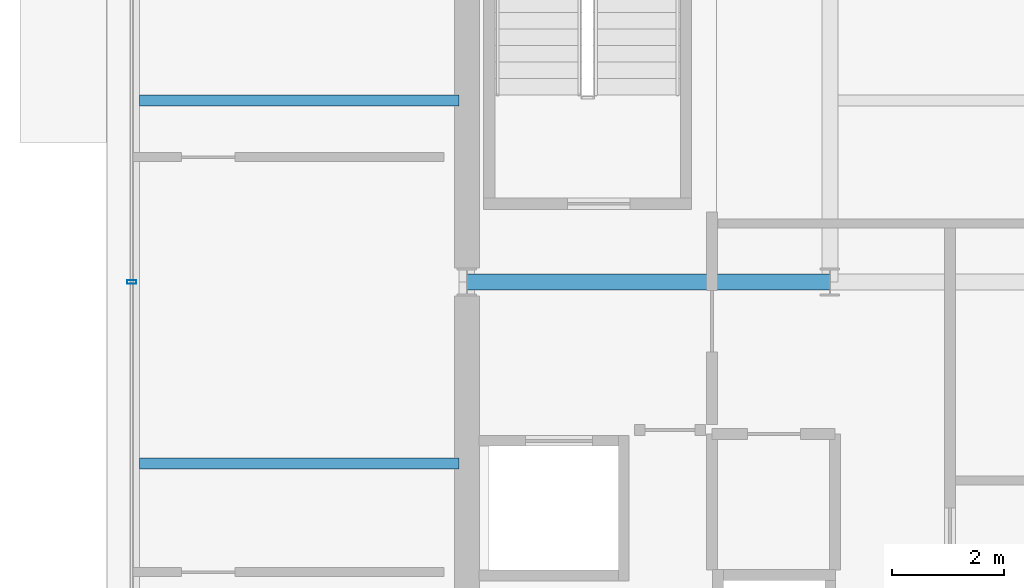
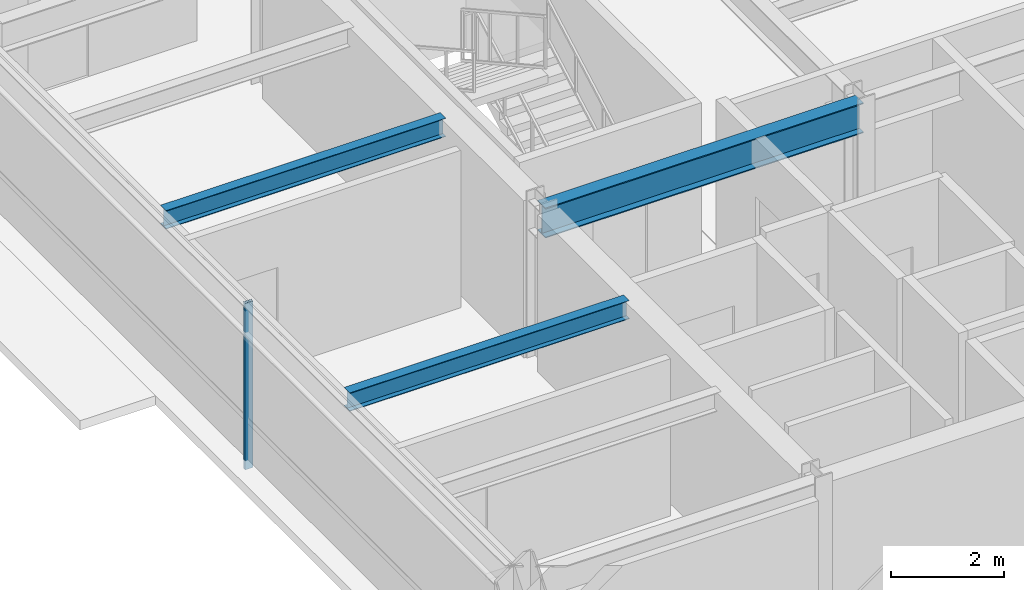
# One storey, part 8 of 26: 3 beams, 1 member, 1 element without a shape of its own.
"""IFC4 building model written with IfcOpenShell, lengths in metres."""

from ifc_helpers import new_model, si_unit, direction, frame, origin, origin_2d, place, context, subcontext, project, spatial, hollow_rectangle, i_section, extrude, material, layer, layer_set, material_profile, profile_set, type_object, element, aggregate, save


model = new_model("IFC4")

# Units and contexts
model_context = context("Model", 3, precision=1e-05, world=origin(), true_north=direction((0.0, 1.0)))
body_context = subcontext(model_context, "Body", "Model", "MODEL_VIEW")
ifc_project = project(units=[si_unit("LENGTHUNIT", "METRE"), si_unit("AREAUNIT", "SQUARE_METRE"), si_unit("VOLUMEUNIT", "CUBIC_METRE"), si_unit("PLANEANGLEUNIT", "RADIAN"), si_unit("MASSUNIT", "GRAM", prefix="KILO")], contexts=[model_context])

# Site, building, storey
site_placement = place(None, origin())
site = spatial("IfcSite", under=ifc_project, at=site_placement, CompositionType="ELEMENT")
building_placement = place(site_placement, origin())
building = spatial("IfcBuilding", under=site, at=building_placement, Name="Brelmoor Portico Tower", CompositionType="ELEMENT")
storey_placement = place(building_placement, frame((0.0, 0.0, 180.300048828125)))
storey = spatial("IfcBuildingStorey", under=building, at=storey_placement, Name="L47", CompositionType="ELEMENT", Elevation=180.300048828125)

# Beams
ifc_material_1 = material(Name="Steel Q355B", Category="steel")
ifc_material_profile_1 = material_profile(ifc_material_1, i_section(OverallWidth=0.199951171875, OverallDepth=0.39990234375, WebThickness=0.008056640625, FlangeThickness=0.012939453125, at=origin_2d()), Name="HN 400x200x8x13")
ifc_profile_set_1 = profile_set([ifc_material_profile_1], Name="Steel Q355B")
beam_type_1 = type_object("IfcBeamType", Name="BM-JS-400", PredefinedType="JOIST", material=ifc_profile_set_1)
for number, where, z_axis, x_axis, name in (
    (1, (-20.409912109375, -3.25, 3.199951171875), (1.0, 0.0, 0.0), (0.0, 1.0, 0.0), "L47 Secondary Wing Joist JS-W06"),
    (2, (-20.409912109375, 3.25, 3.199951171875), (1.0, 0.0, 0.0), (0.0, 1.0, 0.0), "L47 Secondary Wing Joist JS-W07"),
):
    element("IfcBeam", number, at=place(storey_placement, frame(where, z_axis=z_axis, x_axis=x_axis)), inside=storey, type_object=beam_type_1, Name=name, PredefinedType="JOIST", context=body_context, shape_type="SweptSolid", body=[
        extrude(i_section(OverallWidth=0.199951171875, OverallDepth=0.39990234375, WebThickness=0.008056640625, FlangeThickness=0.012939453125, at=origin_2d()), origin(), (0.0, 0.0, 1.0), 5.719970703125),
    ])
ifc_material_profile_2 = material_profile(ifc_material_1, i_section(OverallWidth=0.280029296875, OverallDepth=0.64990234375, WebThickness=0.012939453125, FlangeThickness=0.02197265625, at=origin_2d()), Name="HN 650x280x13x22")
ifc_profile_set_2 = profile_set([ifc_material_profile_2], Name="Steel Q355B")
beam_type_2 = type_object("IfcBeamType", Name="BM-PG-650", PredefinedType="BEAM", material=ifc_profile_set_2)
beam_placement = place(storey_placement, frame((-14.550048828125, 0.0, 3.074951171875), z_axis=(1.0, 0.0, 0.0), x_axis=(0.0, 1.0, 0.0)))
element("IfcBeam", 3, at=beam_placement, inside=storey, type_object=beam_type_2, Name="L47 Primary Floor Girder PG-16", PredefinedType="BEAM", context=body_context, shape_type="SweptSolid", body=[
    extrude(i_section(OverallWidth=0.280029296875, OverallDepth=0.64990234375, WebThickness=0.012939453125, FlangeThickness=0.02197265625, at=origin_2d()), origin(), (0.0, 0.0, 1.0), 6.5),
])

# Curtain wall, member
ifc_material_2 = material(Name="Anodised Aluminium Alloy 6063-T6", Category="aluminium")
ifc_layer = layer(ifc_material_2, 0.179931640625)
ifc_layer_set = layer_set([ifc_layer], Name="Anodised Aluminium Alloy 6063-T6")
curtain_wall_type = type_object("IfcCurtainWallType", Name="CW-TOWER-Z3", PredefinedType="NOTDEFINED", material=ifc_layer_set)
curtain_wall_placement = place(storey_placement, origin())
curtain_wall = element("IfcCurtainWall", 4, at=curtain_wall_placement, inside=storey, type_object=curtain_wall_type, Name="L47 Curtain Wall CW-L47-03-2", PredefinedType="NOTDEFINED")
ifc_material_profile_3 = material_profile(ifc_material_2, hollow_rectangle(XDim=0.06494140625, YDim=0.1650390625, WallThickness=0.00390625, at=origin_2d()), Name="ALU MULLION 65x165")
ifc_profile_set_3 = profile_set([ifc_material_profile_3], Name="Anodised Aluminium Alloy 6063-T6")
member_type = type_object("IfcMemberType", Name="MB-CW-MULL-165", PredefinedType="MULLION", material=ifc_profile_set_3)
member_placement = place(storey_placement, frame((-20.550048828125, 0.0, -0.199951171875), z_axis=(0.0, 0.0, 1.0), x_axis=(0.0, 1.0, 0.0)))
member = element("IfcMember", 5, at=member_placement, type_object=member_type, Name="CW-L47-03-2 Mullion 01", PredefinedType="MULLION", context=body_context, shape_type="SweptSolid", body=[
    extrude(hollow_rectangle(XDim=0.06494140625, YDim=0.1650390625, WallThickness=0.00390625, at=origin_2d()), origin(), (0.0, 0.0, 1.0), 3.599853515625),
])
aggregate(curtain_wall, [member])

save(model, "model.ifc")
